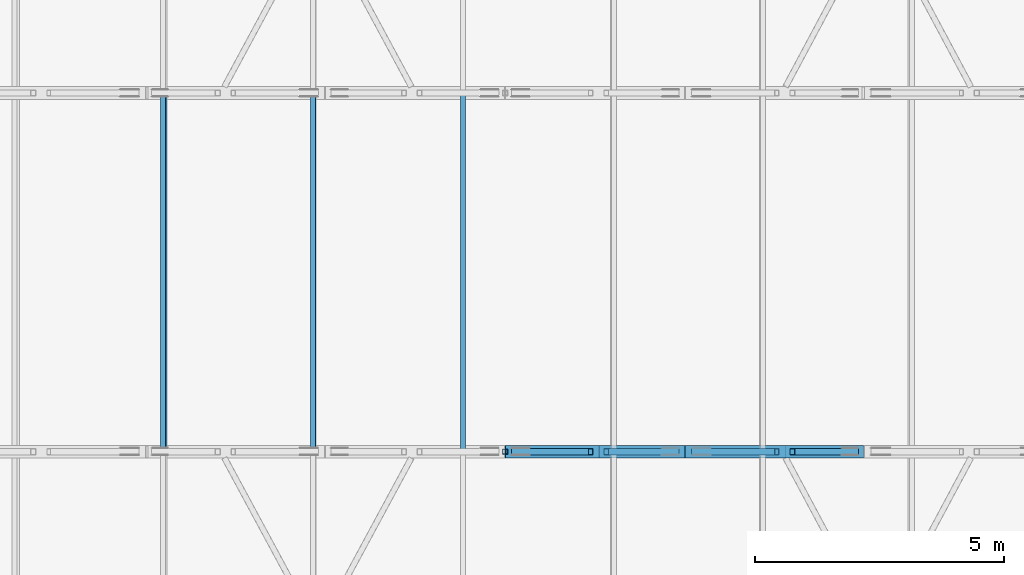
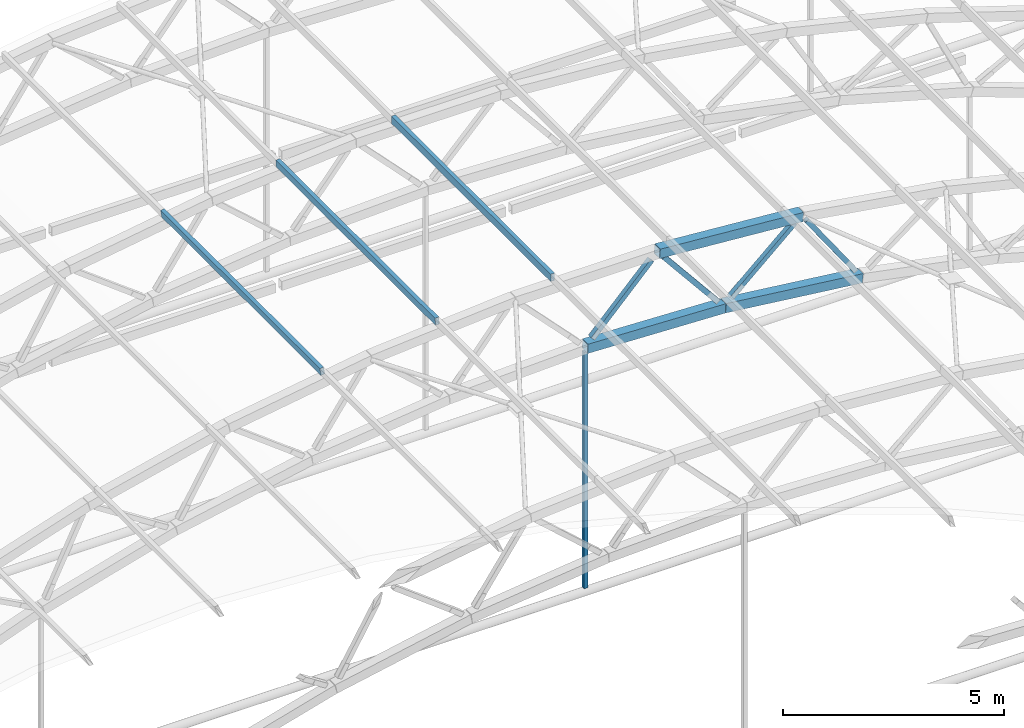
# One storey, part 57 of 127: 11 members.
"""IFC4 building model written with IfcOpenShell, lengths in metres."""

from ifc_helpers import new_model, si_unit, direction, frame, origin, origin_2d, place, context, subcontext, project, spatial, hollow_rectangle, extrude, material, material_profile, profile_set, type_object, element, save


model = new_model("IFC4")

# Units and contexts
model_context = context("Model", 3, precision=1e-05, world=origin(), true_north=direction((0.0, 1.0)))
body_context = subcontext(model_context, "Body", "Model", "MODEL_VIEW")
ifc_project = project(units=[si_unit("LENGTHUNIT", "METRE"), si_unit("AREAUNIT", "SQUARE_METRE"), si_unit("VOLUMEUNIT", "CUBIC_METRE"), si_unit("PLANEANGLEUNIT", "RADIAN"), si_unit("MASSUNIT", "GRAM", prefix="KILO")], contexts=[model_context])

# Site, building, storey
site_placement = place(None, origin())
site = spatial("IfcSite", under=ifc_project, at=site_placement, CompositionType="ELEMENT")
building_placement = place(site_placement, origin())
building = spatial("IfcBuilding", under=site, at=building_placement, Name="Verrick Yard Athletic Hall", CompositionType="ELEMENT")
storey_placement = place(building_placement, frame((0.0, 0.0, 14.0)))
storey = spatial("IfcBuildingStorey", under=building, at=storey_placement, Name="L03", CompositionType="ELEMENT", Elevation=14.0)

# Members
ifc_material = material(Name="Structural steel HSS Class C 350W (CSA G40.20/G40.21)", Category="steel")
ifc_material_profile_1 = material_profile(ifc_material, hollow_rectangle(XDim=0.25390625, YDim=0.25390625, WallThickness=0.009521484375, at=origin_2d()), Name="HSS254x254x9.5")
ifc_profile_set_1 = profile_set([ifc_material_profile_1], Name="Structural steel HSS Class C 350W (CSA G40.20/G40.21)")
member_type_1 = type_object("IfcMemberType", Name="HB bottom chord HSS254x254x9.5", PredefinedType="CHORD", material=ifc_profile_set_1)
member_1_placement = place(storey_placement, frame((145.60498046875, 93.60009765625, 6.757080078125), z_axis=(0.999229759959, 0.0, -0.039241391579), x_axis=(0.0, 1.0, 0.0)))
element("IfcMember", 1, at=member_1_placement, inside=storey, type_object=member_type_1, Name="Truss TA4 bottom chord 8", PredefinedType="CHORD", context=body_context, shape_type="SweptSolid", body=[
    extrude(hollow_rectangle(XDim=0.25390625, YDim=0.25390625, WallThickness=0.009521484375, at=origin_2d()), origin(), (0.0, 0.0, 1.0), 3.595947265625),
])
member_2_placement = place(storey_placement, frame((149.208251953125, 93.60009765625, 6.615234375), z_axis=(0.993094882284, 0.0, -0.117313915545), x_axis=(0.0, 1.0, 0.0)))
element("IfcMember", 2, at=member_2_placement, inside=storey, type_object=member_type_1, Name="Truss TA4 bottom chord 9", PredefinedType="CHORD", context=body_context, shape_type="SweptSolid", body=[
    extrude(hollow_rectangle(XDim=0.25390625, YDim=0.25390625, WallThickness=0.009521484375, at=origin_2d()), origin(), (0.0, 0.0, 1.0), 3.59619140625),
])
ifc_material_profile_2 = material_profile(ifc_material, hollow_rectangle(XDim=0.1015625, YDim=0.203125, WallThickness=0.009521484375, at=origin_2d()), Name="HSS203x102x9.5")
ifc_profile_set_2 = profile_set([ifc_material_profile_2], Name="Structural steel HSS Class C 350W (CSA G40.20/G40.21)")
member_type_2 = type_object("IfcMemberType", Name="HB purlin HSS203x102x9.5", PredefinedType="PURLIN", material=ifc_profile_set_2)
for number, where, z_axis, x_axis, name in (
    (3, (138.750244140625, 93.60009765625, 8.464599609375), (0.0, 1.0, 0.0), (-0.987728086354, 0.0, -0.156183313539), "HB-PU-A-4-7"),
    (4, (141.747802734375, 93.60009765625, 8.794677734375), (0.0, 1.0, 0.0), (-0.996927304266, 0.0, -0.078332305011), "HB-PU-A-4-8"),
    (5, (144.759765625, 93.60009765625, 8.948974609375), (0.0, 1.0, 0.0), (-1.0, 0.0, 0.0), "HB-PU-A-4-9"),
):
    element("IfcMember", number, at=place(storey_placement, frame(where, z_axis=z_axis, x_axis=x_axis)), inside=storey, type_object=member_type_2, Name=name, PredefinedType="PURLIN", context=body_context, shape_type="SweptSolid", body=[
        extrude(hollow_rectangle(XDim=0.1015625, YDim=0.203125, WallThickness=0.009521484375, at=origin_2d()), origin(), (0.0, 0.0, 1.0), 7.199951171875),
    ])
ifc_material_profile_3 = material_profile(ifc_material, hollow_rectangle(XDim=0.25390625, YDim=0.25390625, WallThickness=0.009521484375, at=origin_2d()), Name="HSS254x254x9.5")
ifc_profile_set_3 = profile_set([ifc_material_profile_3], Name="Structural steel HSS Class C 350W (CSA G40.20/G40.21)")
member_type_3 = type_object("IfcMemberType", Name="HB top chord HSS254x254x9.5", PredefinedType="CHORD", material=ifc_profile_set_3)
member_3_placement = place(storey_placement, frame((147.486328125, 93.60009765625, 8.719970703125), z_axis=(0.996928028323, 0.0, -0.078323089468), x_axis=(0.0, 1.0, 0.0)))
element("IfcMember", 6, at=member_3_placement, inside=storey, type_object=member_type_3, Name="Truss TA4 top chord 9", PredefinedType="CHORD", context=body_context, shape_type="SweptSolid", body=[
    extrude(hollow_rectangle(XDim=0.25390625, YDim=0.25390625, WallThickness=0.009521484375, at=origin_2d()), origin(), (0.0, 0.0, 1.0), 3.7529296875),
])
ifc_material_profile_4 = material_profile(ifc_material, hollow_rectangle(XDim=0.1015625, YDim=0.1015625, WallThickness=0.00634765625, at=origin_2d()), Name="HSS102x102x6.4")
ifc_profile_set_4 = profile_set([ifc_material_profile_4], Name="Structural steel HSS Class C 350W (CSA G40.20/G40.21)")
member_type_4 = type_object("IfcMemberType", Name="HB truss hanger HSS102x102x6.4", PredefinedType="MEMBER", material=ifc_profile_set_4)
member_4_placement = place(storey_placement, frame((145.60009765625, 93.60009765625, 6.628173828125), z_axis=(0.0, 0.0, -1.0), x_axis=(0.0, -1.0, 0.0)))
element("IfcMember", 7, at=member_4_placement, inside=storey, type_object=member_type_4, Name="Truss TA4 hanger 2", PredefinedType="MEMBER", context=body_context, shape_type="SweptSolid", body=[
    extrude(hollow_rectangle(XDim=0.1015625, YDim=0.1015625, WallThickness=0.00634765625, at=origin_2d()), origin(), (0.0, 0.0, 1.0), 6.5185546875),
])
ifc_material_profile_5 = material_profile(ifc_material, hollow_rectangle(XDim=0.126953125, YDim=0.126953125, WallThickness=0.009521484375, at=origin_2d()), Name="HSS127x127x9.5")
ifc_profile_set_5 = profile_set([ifc_material_profile_5], Name="Structural steel HSS Class C 350W (CSA G40.20/G40.21)")
member_type_5 = type_object("IfcMemberType", Name="HB truss web HSS127x127x9.5", PredefinedType="BRACE", material=ifc_profile_set_5)
member_5_placement = place(storey_placement, frame((145.772216796875, 93.60009765625, 6.936767578125), z_axis=(0.691917233653, 0.0, 0.721976829112), x_axis=(0.0, 1.0, 0.0)))
element("IfcMember", 8, at=member_5_placement, inside=storey, type_object=member_type_5, Name="Truss TA4 web 15", PredefinedType="BRACE", context=body_context, shape_type="SweptSolid", body=[
    extrude(hollow_rectangle(XDim=0.126953125, YDim=0.126953125, WallThickness=0.009521484375, at=origin_2d()), origin(), (0.0, 0.0, 1.0), 2.2333984375),
])
for number, where, z_axis, x_axis, name in (
    (9, (147.63134765625, 93.60009765625, 8.537109375), (0.633202076169, 0.0, -0.773986518445), (0.0, 1.0, 0.0), "Truss TA4 web 16"),
    (10, (149.388916015625, 93.60009765625, 6.781494140625), (0.746340924984, 0.0, 0.665563838932), (0.0, 1.0, 0.0), "Truss TA4 web 17"),
    (11, (151.367919921875, 93.60009765625, 8.231201171875), (0.570664111571, 0.0, -0.821183579819), (0.0, 1.0, 0.0), "Truss TA4 web 18"),
):
    element("IfcMember", number, at=place(storey_placement, frame(where, z_axis=z_axis, x_axis=x_axis)), inside=storey, type_object=member_type_5, Name=name, PredefinedType="BRACE", context=body_context, shape_type="SweptSolid", body=[
        extrude(hollow_rectangle(XDim=0.126953125, YDim=0.126953125, WallThickness=0.009521484375, at=origin_2d()), origin(), (0.0, 0.0, 1.0), 2.233642578125),
    ])

save(model, "model.ifc")
